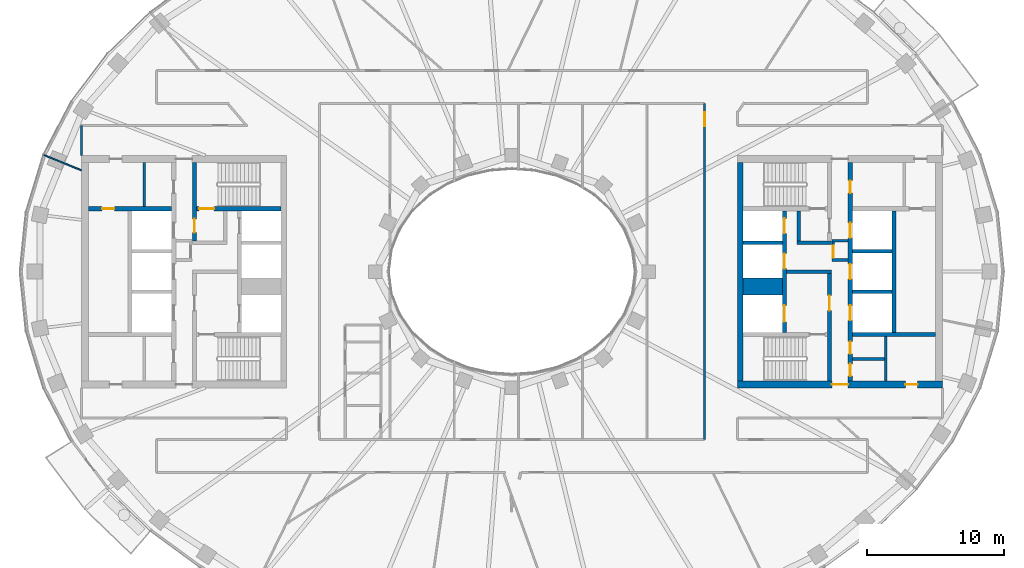
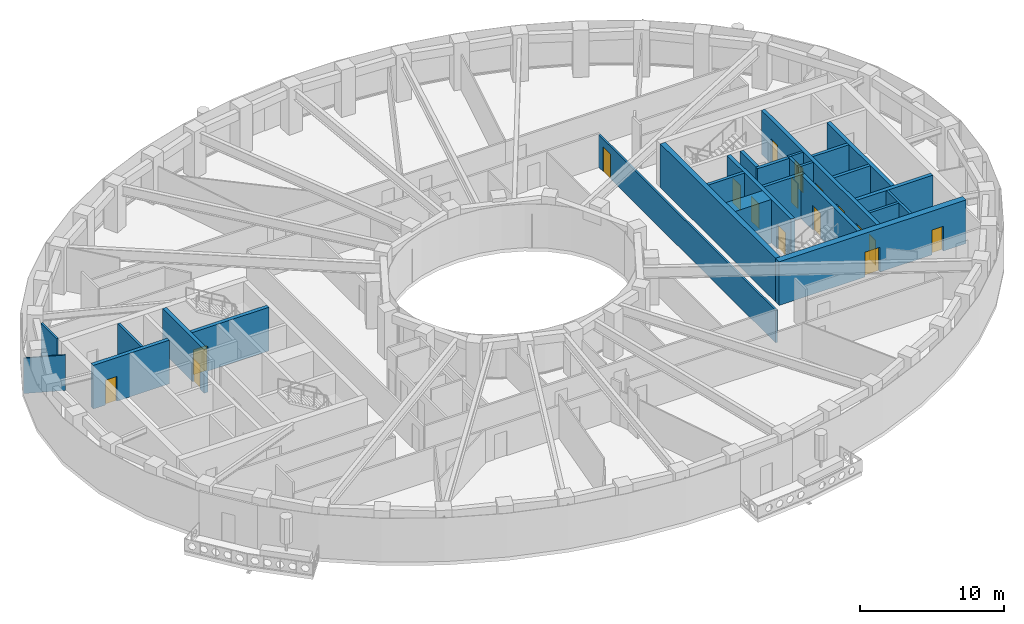
# One storey, part 5 of 16: 26 walls, 17 doors, 17 openings.
"""IFC4 building model written with IfcOpenShell, lengths in metres."""

from ifc_helpers import new_model, si_unit, direction, frame, frame_2d, origin, place, context, subcontext, project, spatial, rectangle, extrude, material, layer, layer_set, type_object, element, fill, save


model = new_model("IFC4")

# Units and contexts
model_context = context("Model", 3, precision=1e-05, world=origin(), true_north=direction((0.0, 1.0)))
body_context = subcontext(model_context, "Body", "Model", "MODEL_VIEW")
ifc_project = project(units=[si_unit("LENGTHUNIT", "METRE"), si_unit("AREAUNIT", "SQUARE_METRE"), si_unit("VOLUMEUNIT", "CUBIC_METRE"), si_unit("PLANEANGLEUNIT", "RADIAN"), si_unit("MASSUNIT", "GRAM", prefix="KILO")], contexts=[model_context])

# Site, building, storey
site_placement = place(None, origin())
site = spatial("IfcSite", under=ifc_project, at=site_placement, CompositionType="ELEMENT")
building_placement = place(site_placement, origin())
building = spatial("IfcBuilding", under=site, at=building_placement, Name="Noorbagh Ring Tower", CompositionType="ELEMENT")
storey_placement = place(building_placement, frame((0.0, 0.0, 245.5)))
storey = spatial("IfcBuildingStorey", under=building, at=storey_placement, Name="L51", CompositionType="ELEMENT", Elevation=245.5)

# Walls
ifc_material_1 = material(Name="Gypsum board on steel studs", Category="steel")
ifc_layer_1 = layer(ifc_material_1, 0.199951171875)
ifc_layer_set_1 = layer_set([ifc_layer_1], Name="Gypsum board on steel studs")
wall_type_1 = type_object("IfcWallType", Name="CORE-PARTITION-200", PredefinedType="PARTITIONING", material=ifc_layer_set_1)
wall_1_placement = place(storey_placement, frame((-26.89990234375, 4.75, 0.0), z_axis=(0.0, 0.0, 1.0), x_axis=(0.0, 1.0, 0.0)))
element("IfcWall", 1, at=wall_1_placement, inside=storey, type_object=wall_type_1, Name="Core partition W", PredefinedType="PARTITIONING", context=body_context, shape_type="SweptSolid", body=[
    extrude(rectangle(XDim=3.25, YDim=0.199951171875, at=frame_2d((1.625, 0.0))), origin(), (0.0, 0.0, 1.0), 3.699951171875),
])
for number, where, z_axis, x_axis, name in (
    (2, (23.39990234375, 0.85009765625, 0.0), (0.0, 0.0, 1.0), (1.0, 0.0, 0.0), "Core partition E"),
    (3, (23.39990234375, 2.25, 0.0), (0.0, 0.0, 1.0), (1.0, 0.0, 0.0), "Core partition E"),
):
    element("IfcWall", number, at=place(storey_placement, frame(where, z_axis=z_axis, x_axis=x_axis)), inside=storey, type_object=wall_type_1, Name=name, PredefinedType="PARTITIONING", context=body_context, shape_type="SweptSolid", body=[
        extrude(rectangle(XDim=1.2001953125, YDim=0.199951171875, at=frame_2d((0.60009765625, 0.0))), origin(), (0.0, 0.0, 1.0), 3.699951171875),
    ])

# Wall, opening, door
wall_2_placement = place(storey_placement, frame((23.5, 0.75, 0.0), z_axis=(0.0, 0.0, 1.0), x_axis=(0.0, 1.0, 0.0)))
wall_2 = element("IfcWall", 4, at=wall_2_placement, inside=storey, type_object=wall_type_1, Name="Core partition E", PredefinedType="PARTITIONING", context=body_context, shape_type="SweptSolid", body=[
    extrude(rectangle(XDim=1.60009765625, YDim=0.199951171875, at=frame_2d((0.800048828125, 0.0))), origin(), (0.0, 0.0, 1.0), 3.699951171875),
])
opening_1_placement = place(wall_2_placement, frame((0.25, 0.0, 0.0)))
opening_1 = element("IfcOpeningElement", 5, at=opening_1_placement, cuts=wall_2, Name="Opening L51-CE18", PredefinedType="OPENING", context=body_context, shape_type="SweptSolid", body=[
    extrude(rectangle(XDim=0.89990234375, YDim=2.10009765625, at=frame_2d((0.449951171875, 1.050048828125))), frame((0.0, 0.10986328125, 0.0), z_axis=(0.0, -1.0, 0.0), x_axis=(1.0, 0.0, 0.0)), (0.0, 0.0, 1.0), 0.219970703125),
])
ifc_material_2 = material(Name="Steel door leaf", Category="steel")
door_type_1 = type_object("IfcDoorType", Name="CORE-DOOR-DROOM", OperationType="SINGLE_SWING_LEFT", PredefinedType="DOOR", material=ifc_material_2)
door_1_placement = place(opening_1_placement, origin())
door_1 = element("IfcDoor", 6, at=door_1_placement, inside=storey, type_object=door_type_1, Name="Core room door L51-CE18", OperationType="SINGLE_SWING_LEFT", OverallHeight=2.10009765625, OverallWidth=0.89990234375, PredefinedType="DOOR", context=body_context, shape_type="SweptSolid", body=[
    extrude(rectangle(XDim=0.89990234375, YDim=2.10009765625, at=frame_2d((0.449951171875, 1.050048828125))), frame((0.0, 0.02490234375, 0.0), z_axis=(0.0, -1.0, 0.0), x_axis=(1.0, 0.0, 0.0)), (0.0, 0.0, 1.0), 0.050048828125),
])
fill(opening_1, door_1)

# Walls
wall_3_placement = place(storey_placement, frame((27.35009765625, -8.0, 0.0), z_axis=(0.0, 0.0, 1.0), x_axis=(0.0, 1.0, 0.0)))
element("IfcWall", 7, at=wall_3_placement, inside=storey, type_object=wall_type_1, Name="Core partition E", PredefinedType="PARTITIONING", context=body_context, shape_type="SweptSolid", body=[
    extrude(rectangle(XDim=3.25, YDim=0.199951171875, at=frame_2d((1.625, 0.0))), origin(), (0.0, 0.0, 1.0), 3.699951171875),
])
wall_4_placement = place(storey_placement, frame((24.89990234375, -6.39990234375, 0.0), z_axis=(0.0, 0.0, 1.0), x_axis=(1.0, 0.0, 0.0)))
element("IfcWall", 8, at=wall_4_placement, inside=storey, type_object=wall_type_1, Name="Core partition E", PredefinedType="PARTITIONING", context=body_context, shape_type="SweptSolid", body=[
    extrude(rectangle(XDim=2.35009765625, YDim=0.199951171875, at=frame_2d((1.175048828125, 0.0))), origin(), (0.0, 0.0, 1.0), 3.699951171875),
])
ifc_material_3 = material(Name="Concrete C60/75", Category="concrete")
ifc_layer_2 = layer(ifc_material_3, 1.25)
ifc_layer_set_2 = layer_set([ifc_layer_2], Name="Concrete C60/75")
wall_type_2 = type_object("IfcWallType", Name="CORE-WALL-1250-C60-75-EI120", PredefinedType="SHEAR", material=ifc_layer_set_2)
wall_5_placement = place(storey_placement, frame((16.89990234375, -1.074951171875, 0.0), z_axis=(0.0, 0.0, 1.0), x_axis=(1.0, 0.0, 0.0)))
element("IfcWall", 9, at=wall_5_placement, inside=storey, type_object=wall_type_2, Name="Core wall E", PredefinedType="SHEAR", context=body_context, shape_type="SweptSolid", body=[
    extrude(rectangle(XDim=2.900146484375, YDim=1.25, at=frame_2d((1.4501953125, 0.0))), origin(), (0.0, 0.0, 1.0), 3.699951171875),
])
ifc_material_4 = material(Name="Concrete C60/75", Category="concrete")
ifc_layer_3 = layer(ifc_material_4, 0.25)
ifc_layer_set_3 = layer_set([ifc_layer_3], Name="Concrete C60/75")
wall_type_3 = type_object("IfcWallType", Name="CORE-WALL-250-C60-75-EI120", PredefinedType="SHEAR", material=ifc_layer_set_3)
for number, where, z_axis, x_axis, name in (
    (10, (16.89990234375, 2.125, 0.0), (0.0, 0.0, 1.0), (1.0, 0.0, 0.0), "Core wall E"),
    (11, (24.89990234375, -1.47509765625, 0.0), (0.0, 0.0, 1.0), (1.0, 0.0, 0.0), "Core wall E"),
    (12, (24.89990234375, 1.47509765625, 0.0), (0.0, 0.0, 1.0), (1.0, 0.0, 0.0), "Core wall E"),
):
    element("IfcWall", number, at=place(storey_placement, frame(where, z_axis=z_axis, x_axis=x_axis)), inside=storey, type_object=wall_type_3, Name=name, PredefinedType="SHEAR", context=body_context, shape_type="SweptSolid", body=[
        extrude(rectangle(XDim=2.900146484375, YDim=0.25, at=frame_2d((1.4501953125, 0.0))), origin(), (0.0, 0.0, 1.0), 3.699951171875),
    ])
ifc_material_5 = material(Name="Concrete C60/75", Category="concrete")
ifc_layer_4 = layer(ifc_material_5, 0.25)
ifc_layer_set_4 = layer_set([ifc_layer_4], Name="Concrete C60/75")
wall_type_4 = type_object("IfcWallType", Name="CORE-WALL-250-C60-75-EI240", PredefinedType="SHEAR", material=ifc_layer_set_4)
wall_6_placement = place(storey_placement, frame((20.10009765625, 0.0, 0.0), z_axis=(0.0, 0.0, 1.0), x_axis=(1.0, 0.0, 0.0)))
element("IfcWall", 13, at=wall_6_placement, inside=storey, type_object=wall_type_4, Name="Core wall E", PredefinedType="SHEAR", context=body_context, shape_type="SweptSolid", body=[
    extrude(rectangle(XDim=3.27978515625, YDim=0.25, at=frame_2d((1.639892578125, 0.0))), origin(), (0.0, 0.0, 1.0), 3.699951171875),
])
wall_7_placement = place(storey_placement, frame((20.85009765625, 2.125, 0.0), z_axis=(0.0, 0.0, 1.0), x_axis=(1.0, 0.0, 0.0)))
element("IfcWall", 14, at=wall_7_placement, inside=storey, type_object=wall_type_4, Name="Core wall E", PredefinedType="SHEAR", context=body_context, shape_type="SweptSolid", body=[
    extrude(rectangle(XDim=2.52978515625, YDim=0.25, at=frame_2d((1.264892578125, 0.0))), origin(), (0.0, 0.0, 1.0), 3.699951171875),
])
wall_8_placement = place(storey_placement, frame((20.97509765625, 2.25, 0.0), z_axis=(0.0, 0.0, 1.0), x_axis=(0.0, 1.0, 0.0)))
element("IfcWall", 15, at=wall_8_placement, inside=storey, type_object=wall_type_4, Name="Core wall E", PredefinedType="SHEAR", context=body_context, shape_type="SweptSolid", body=[
    extrude(rectangle(XDim=2.199951171875, YDim=0.25, at=frame_2d((1.10009765625, 0.0))), origin(), (0.0, 0.0, 1.0), 3.699951171875),
])
ifc_material_6 = material(Name="Concrete C60/75", Category="concrete")
ifc_layer_5 = layer(ifc_material_6, 0.300048828125)
ifc_layer_set_5 = layer_set([ifc_layer_5], Name="Concrete C60/75")
wall_type_5 = type_object("IfcWallType", Name="CORE-WALL-300-C60-75-EI120", PredefinedType="SHEAR", material=ifc_layer_set_5)
wall_9_placement = place(storey_placement, frame((27.949951171875, -4.449951171875, 0.0), z_axis=(0.0, 0.0, 1.0), x_axis=(0.0, 1.0, 0.0)))
element("IfcWall", 16, at=wall_9_placement, inside=storey, type_object=wall_type_5, Name="Core wall E", PredefinedType="SHEAR", context=body_context, shape_type="SweptSolid", body=[
    extrude(rectangle(XDim=8.89990234375, YDim=0.300048828125, at=frame_2d((4.449951171875, 0.0))), origin(), (0.0, 0.0, 1.0), 3.699951171875),
])

# Wall, openings, doors
wall_10_placement = place(storey_placement, frame((19.949951171875, -4.449951171875, 0.0), z_axis=(0.0, 0.0, 1.0), x_axis=(0.0, 1.0, 0.0)))
wall_10 = element("IfcWall", 17, at=wall_10_placement, inside=storey, type_object=wall_type_5, Name="Core wall E", PredefinedType="SHEAR", context=body_context, shape_type="SweptSolid", body=[
    extrude(rectangle(XDim=8.89990234375, YDim=0.300048828125, at=frame_2d((4.449951171875, 0.0))), origin(), (0.0, 0.0, 1.0), 3.699951171875),
])
opening_2_placement = place(wall_10_placement, frame((0.77490234375, 0.0, 0.0)))
opening_2 = element("IfcOpeningElement", 18, at=opening_2_placement, cuts=wall_10, Name="Opening L51-CE01", PredefinedType="OPENING", context=body_context, shape_type="SweptSolid", body=[
    extrude(rectangle(XDim=1.199951171875, YDim=2.10009765625, at=frame_2d((0.60009765625, 1.050048828125))), frame((0.0, 0.16015625, 0.0), z_axis=(0.0, -1.0, 0.0), x_axis=(1.0, 0.0, 0.0)), (0.0, 0.0, 1.0), 0.320068359375),
])
opening_3_placement = place(wall_10_placement, frame((4.675048828125, 0.0, 0.0)))
opening_3 = element("IfcOpeningElement", 19, at=opening_3_placement, cuts=wall_10, Name="Opening L51-CE02", PredefinedType="OPENING", context=body_context, shape_type="SweptSolid", body=[
    extrude(rectangle(XDim=1.10009765625, YDim=2.10009765625, at=frame_2d((0.550048828125, 1.050048828125))), frame((0.0, 0.16015625, 0.0), z_axis=(0.0, -1.0, 0.0), x_axis=(1.0, 0.0, 0.0)), (0.0, 0.0, 1.0), 0.320068359375),
])
opening_4_placement = place(wall_10_placement, frame((7.25, 0.0, 0.0)))
opening_4 = element("IfcOpeningElement", 20, at=opening_4_placement, cuts=wall_10, Name="Opening L51-CE03", PredefinedType="OPENING", context=body_context, shape_type="SweptSolid", body=[
    extrude(rectangle(XDim=1.10009765625, YDim=2.10009765625, at=frame_2d((0.550048828125, 1.050048828125))), frame((0.0, 0.16015625, 0.0), z_axis=(0.0, -1.0, 0.0), x_axis=(1.0, 0.0, 0.0)), (0.0, 0.0, 1.0), 0.320068359375),
])
ifc_material_7 = material(Name="Steel door leaf", Category="steel")
door_type_2 = type_object("IfcDoorType", Name="CORE-DOOR-LD", OperationType="DOUBLE_DOOR_SLIDING", PredefinedType="DOOR", material=ifc_material_7)
door_2_placement = place(opening_3_placement, origin())
door_2 = element("IfcDoor", 21, at=door_2_placement, inside=storey, type_object=door_type_2, Name="Landing door HR7 L51-CE02", OperationType="DOUBLE_DOOR_SLIDING", OverallHeight=2.10009765625, OverallWidth=1.10009765625, PredefinedType="DOOR", context=body_context, shape_type="SweptSolid", body=[
    extrude(rectangle(XDim=1.10009765625, YDim=2.10009765625, at=frame_2d((0.550048828125, 1.050048828125))), frame((0.0, 0.02490234375, 0.0), z_axis=(0.0, -1.0, 0.0), x_axis=(1.0, 0.0, 0.0)), (0.0, 0.0, 1.0), 0.050048828125),
])
fill(opening_3, door_2)
door_3_placement = place(opening_4_placement, origin())
door_3 = element("IfcDoor", 22, at=door_3_placement, inside=storey, type_object=door_type_2, Name="Landing door HR8 L51-CE03", OperationType="DOUBLE_DOOR_SLIDING", OverallHeight=2.10009765625, OverallWidth=1.10009765625, PredefinedType="DOOR", context=body_context, shape_type="SweptSolid", body=[
    extrude(rectangle(XDim=1.10009765625, YDim=2.10009765625, at=frame_2d((0.550048828125, 1.050048828125))), frame((0.0, 0.02490234375, 0.0), z_axis=(0.0, -1.0, 0.0), x_axis=(1.0, 0.0, 0.0)), (0.0, 0.0, 1.0), 0.050048828125),
])
fill(opening_4, door_3)
ifc_material_8 = material(Name="Steel door leaf", Category="steel")
door_type_3 = type_object("IfcDoorType", Name="CORE-DOOR-LDW", OperationType="DOUBLE_DOOR_SLIDING", PredefinedType="DOOR", material=ifc_material_8)
door_4_placement = place(opening_2_placement, origin())
door_4 = element("IfcDoor", 23, at=door_4_placement, inside=storey, type_object=door_type_3, Name="Landing door FF2 L51-CE01", OperationType="DOUBLE_DOOR_SLIDING", OverallHeight=2.10009765625, OverallWidth=1.199951171875, PredefinedType="DOOR", context=body_context, shape_type="SweptSolid", body=[
    extrude(rectangle(XDim=1.199951171875, YDim=2.10009765625, at=frame_2d((0.60009765625, 1.050048828125))), frame((0.0, 0.02490234375, 0.0), z_axis=(0.0, -1.0, 0.0), x_axis=(1.0, 0.0, 0.0)), (0.0, 0.0, 1.0), 0.050048828125),
])
fill(opening_2, door_4)

wall_11_placement = place(storey_placement, frame((24.75, -8.0, 0.0), z_axis=(0.0, 0.0, 1.0), x_axis=(0.0, 1.0, 0.0)))
wall_11 = element("IfcWall", 24, at=wall_11_placement, inside=storey, type_object=wall_type_5, Name="Core wall E", PredefinedType="SHEAR", context=body_context, shape_type="SweptSolid", body=[
    extrude(rectangle(XDim=16.0, YDim=0.300048828125, at=frame_2d((8.0, 0.0))), origin(), (0.0, 0.0, 1.0), 3.699951171875),
])
opening_5_placement = place(wall_11_placement, frame((4.425048828125, 0.0, 0.0)))
opening_5 = element("IfcOpeningElement", 25, at=opening_5_placement, cuts=wall_11, Name="Opening L51-CE04", PredefinedType="OPENING", context=body_context, shape_type="SweptSolid", body=[
    extrude(rectangle(XDim=1.10009765625, YDim=2.10009765625, at=frame_2d((0.550048828125, 1.050048828125))), frame((0.0, 0.16015625, 0.0), z_axis=(0.0, -1.0, 0.0), x_axis=(1.0, 0.0, 0.0)), (0.0, 0.0, 1.0), 0.320068359375),
])
opening_6_placement = place(wall_11_placement, frame((7.449951171875, 0.0, 0.0)))
opening_6 = element("IfcOpeningElement", 26, at=opening_6_placement, cuts=wall_11, Name="Opening L51-CE05", PredefinedType="OPENING", context=body_context, shape_type="SweptSolid", body=[
    extrude(rectangle(XDim=1.10009765625, YDim=2.10009765625, at=frame_2d((0.550048828125, 1.050048828125))), frame((0.0, 0.16015625, 0.0), z_axis=(0.0, -1.0, 0.0), x_axis=(1.0, 0.0, 0.0)), (0.0, 0.0, 1.0), 0.320068359375),
])
opening_7_placement = place(wall_11_placement, frame((10.47509765625, 0.0, 0.0)))
opening_7 = element("IfcOpeningElement", 27, at=opening_7_placement, cuts=wall_11, Name="Opening L51-CE06", PredefinedType="OPENING", context=body_context, shape_type="SweptSolid", body=[
    extrude(rectangle(XDim=1.10009765625, YDim=2.10009765625, at=frame_2d((0.550048828125, 1.050048828125))), frame((0.0, 0.16015625, 0.0), z_axis=(0.0, -1.0, 0.0), x_axis=(1.0, 0.0, 0.0)), (0.0, 0.0, 1.0), 0.320068359375),
])
opening_8_placement = place(wall_11_placement, frame((13.75, 0.0, 0.0)))
opening_8 = element("IfcOpeningElement", 28, at=opening_8_placement, cuts=wall_11, Name="Opening L51-CE13", PredefinedType="OPENING", context=body_context, shape_type="SweptSolid", body=[
    extrude(rectangle(XDim=0.89990234375, YDim=2.10009765625, at=frame_2d((0.449951171875, 1.050048828125))), frame((0.0, 0.16015625, 0.0), z_axis=(0.0, -1.0, 0.0), x_axis=(1.0, 0.0, 0.0)), (0.0, 0.0, 1.0), 0.320068359375),
])
opening_9_placement = place(wall_11_placement, frame((1.97509765625, 0.0, 0.0)))
opening_9 = element("IfcOpeningElement", 29, at=opening_9_placement, cuts=wall_11, Name="Opening L51-CE15", PredefinedType="OPENING", context=body_context, shape_type="SweptSolid", body=[
    extrude(rectangle(XDim=0.89990234375, YDim=2.10009765625, at=frame_2d((0.449951171875, 1.050048828125))), frame((0.0, 0.16015625, 0.0), z_axis=(0.0, -1.0, 0.0), x_axis=(1.0, 0.0, 0.0)), (0.0, 0.0, 1.0), 0.320068359375),
])
opening_10_placement = place(wall_11_placement, frame((0.35009765625, 0.0, 0.0)))
opening_10 = element("IfcOpeningElement", 30, at=opening_10_placement, cuts=wall_11, Name="Opening L51-CE16", PredefinedType="OPENING", context=body_context, shape_type="SweptSolid", body=[
    extrude(rectangle(XDim=0.89990234375, YDim=2.10009765625, at=frame_2d((0.449951171875, 1.050048828125))), frame((0.0, 0.16015625, 0.0), z_axis=(0.0, -1.0, 0.0), x_axis=(1.0, 0.0, 0.0)), (0.0, 0.0, 1.0), 0.320068359375),
])
door_5_placement = place(opening_8_placement, origin())
door_5 = element("IfcDoor", 31, at=door_5_placement, inside=storey, type_object=door_type_1, Name="Core room door L51-CE13", OperationType="SINGLE_SWING_LEFT", OverallHeight=2.10009765625, OverallWidth=0.89990234375, PredefinedType="DOOR", context=body_context, shape_type="SweptSolid", body=[
    extrude(rectangle(XDim=0.89990234375, YDim=2.10009765625, at=frame_2d((0.449951171875, 1.050048828125))), frame((0.0, 0.02490234375, 0.0), z_axis=(0.0, -1.0, 0.0), x_axis=(1.0, 0.0, 0.0)), (0.0, 0.0, 1.0), 0.050048828125),
])
fill(opening_8, door_5)
door_6_placement = place(opening_9_placement, origin())
door_6 = element("IfcDoor", 32, at=door_6_placement, inside=storey, type_object=door_type_1, Name="Core room door L51-CE15", OperationType="SINGLE_SWING_LEFT", OverallHeight=2.10009765625, OverallWidth=0.89990234375, PredefinedType="DOOR", context=body_context, shape_type="SweptSolid", body=[
    extrude(rectangle(XDim=0.89990234375, YDim=2.10009765625, at=frame_2d((0.449951171875, 1.050048828125))), frame((0.0, 0.02490234375, 0.0), z_axis=(0.0, -1.0, 0.0), x_axis=(1.0, 0.0, 0.0)), (0.0, 0.0, 1.0), 0.050048828125),
])
fill(opening_9, door_6)
door_7_placement = place(opening_10_placement, origin())
door_7 = element("IfcDoor", 33, at=door_7_placement, inside=storey, type_object=door_type_1, Name="Core room door L51-CE16", OperationType="SINGLE_SWING_RIGHT", OverallHeight=2.10009765625, OverallWidth=0.89990234375, PredefinedType="DOOR", context=body_context, shape_type="SweptSolid", body=[
    extrude(rectangle(XDim=0.89990234375, YDim=2.10009765625, at=frame_2d((0.449951171875, 1.050048828125))), frame((0.0, 0.02490234375, 0.0), z_axis=(0.0, -1.0, 0.0), x_axis=(1.0, 0.0, 0.0)), (0.0, 0.0, 1.0), 0.050048828125),
])
fill(opening_10, door_7)
door_8_placement = place(opening_5_placement, origin())
door_8 = element("IfcDoor", 34, at=door_8_placement, inside=storey, type_object=door_type_2, Name="Landing door HR9 L51-CE04", OperationType="DOUBLE_DOOR_SLIDING", OverallHeight=2.10009765625, OverallWidth=1.10009765625, PredefinedType="DOOR", context=body_context, shape_type="SweptSolid", body=[
    extrude(rectangle(XDim=1.10009765625, YDim=2.10009765625, at=frame_2d((0.550048828125, 1.050048828125))), frame((0.0, 0.02490234375, 0.0), z_axis=(0.0, -1.0, 0.0), x_axis=(1.0, 0.0, 0.0)), (0.0, 0.0, 1.0), 0.050048828125),
])
fill(opening_5, door_8)
door_9_placement = place(opening_6_placement, origin())
door_9 = element("IfcDoor", 35, at=door_9_placement, inside=storey, type_object=door_type_2, Name="Landing door HR10 L51-CE05", OperationType="DOUBLE_DOOR_SLIDING", OverallHeight=2.10009765625, OverallWidth=1.10009765625, PredefinedType="DOOR", context=body_context, shape_type="SweptSolid", body=[
    extrude(rectangle(XDim=1.10009765625, YDim=2.10009765625, at=frame_2d((0.550048828125, 1.050048828125))), frame((0.0, 0.02490234375, 0.0), z_axis=(0.0, -1.0, 0.0), x_axis=(1.0, 0.0, 0.0)), (0.0, 0.0, 1.0), 0.050048828125),
])
fill(opening_6, door_9)
door_10_placement = place(opening_7_placement, origin())
door_10 = element("IfcDoor", 36, at=door_10_placement, inside=storey, type_object=door_type_2, Name="Landing door HR11 L51-CE06", OperationType="DOUBLE_DOOR_SLIDING", OverallHeight=2.10009765625, OverallWidth=1.10009765625, PredefinedType="DOOR", context=body_context, shape_type="SweptSolid", body=[
    extrude(rectangle(XDim=1.10009765625, YDim=2.10009765625, at=frame_2d((0.550048828125, 1.050048828125))), frame((0.0, 0.02490234375, 0.0), z_axis=(0.0, -1.0, 0.0), x_axis=(1.0, 0.0, 0.0)), (0.0, 0.0, 1.0), 0.050048828125),
])
fill(opening_7, door_10)

# Wall, opening, door
ifc_material_9 = material(Name="Concrete C60/75", Category="concrete")
ifc_layer_6 = layer(ifc_material_9, 0.300048828125)
ifc_layer_set_6 = layer_set([ifc_layer_6], Name="Concrete C60/75")
wall_type_6 = type_object("IfcWallType", Name="CORE-WALL-300-C60-75-EI240", PredefinedType="SHEAR", material=ifc_layer_set_6)
wall_12_placement = place(storey_placement, frame((-24.89990234375, 4.60009765625, 0.0), z_axis=(0.0, 0.0, 1.0), x_axis=(-1.0, 0.0, 0.0)))
wall_12 = element("IfcWall", 37, at=wall_12_placement, inside=storey, type_object=wall_type_6, Name="Core wall W", PredefinedType="SHEAR", context=body_context, shape_type="SweptSolid", body=[
    extrude(rectangle(XDim=6.10009765625, YDim=0.300048828125, at=frame_2d((3.050048828125, 0.0))), origin(), (0.0, 0.0, 1.0), 3.699951171875),
])
opening_11_placement = place(wall_12_placement, frame((4.199951171875, 0.0, 0.0)))
opening_11 = element("IfcOpeningElement", 38, at=opening_11_placement, cuts=wall_12, Name="Opening L51-CW17", PredefinedType="OPENING", context=body_context, shape_type="SweptSolid", body=[
    extrude(rectangle(XDim=0.89990234375, YDim=2.10009765625, at=frame_2d((0.449951171875, 1.050048828125))), frame((0.0, 0.16015625, 0.0), z_axis=(0.0, -1.0, 0.0), x_axis=(1.0, 0.0, 0.0)), (0.0, 0.0, 1.0), 0.320068359375),
])
door_11_placement = place(opening_11_placement, origin())
door_11 = element("IfcDoor", 39, at=door_11_placement, inside=storey, type_object=door_type_1, Name="Core room door L51-CW17", OperationType="SINGLE_SWING_LEFT", OverallHeight=2.10009765625, OverallWidth=0.89990234375, PredefinedType="DOOR", context=body_context, shape_type="SweptSolid", body=[
    extrude(rectangle(XDim=0.89990234375, YDim=2.10009765625, at=frame_2d((0.449951171875, 1.050048828125))), frame((0.0, 0.02490234375, 0.0), z_axis=(0.0, -1.0, 0.0), x_axis=(1.0, 0.0, 0.0)), (0.0, 0.0, 1.0), 0.050048828125),
])
fill(opening_11, door_11)

wall_13_placement = place(storey_placement, frame((-23.22998046875, 2.25, 0.0), z_axis=(0.0, 0.0, 1.0), x_axis=(0.0, 1.0, 0.0)))
wall_13 = element("IfcWall", 40, at=wall_13_placement, inside=storey, type_object=wall_type_6, Name="Core wall W", PredefinedType="SHEAR", context=body_context, shape_type="SweptSolid", body=[
    extrude(rectangle(XDim=5.75, YDim=0.300048828125, at=frame_2d((2.875, 0.0))), origin(), (0.0, 0.0, 1.0), 3.699951171875),
])
opening_12_placement = place(wall_13_placement, frame((0.60009765625, 0.0, 0.0)))
opening_12 = element("IfcOpeningElement", 41, at=opening_12_placement, cuts=wall_13, Name="Opening L51-CW09", PredefinedType="OPENING", context=body_context, shape_type="SweptSolid", body=[
    extrude(rectangle(XDim=1.0, YDim=2.10009765625, at=frame_2d((0.5, 1.050048828125))), frame((0.0, 0.16015625, 0.0), z_axis=(0.0, -1.0, 0.0), x_axis=(1.0, 0.0, 0.0)), (0.0, 0.0, 1.0), 0.320068359375),
])
ifc_material_10 = material(Name="Steel door leaf", Category="steel")
door_type_4 = type_object("IfcDoorType", Name="CORE-DOOR-DVEST", OperationType="SINGLE_SWING_LEFT", PredefinedType="DOOR", material=ifc_material_10)
door_12_placement = place(opening_12_placement, origin())
door_12 = element("IfcDoor", 42, at=door_12_placement, inside=storey, type_object=door_type_4, Name="Stair vestibule door L51-CW09", OperationType="SINGLE_SWING_LEFT", OverallHeight=2.10009765625, OverallWidth=1.0, PredefinedType="DOOR", context=body_context, shape_type="SweptSolid", body=[
    extrude(rectangle(XDim=1.0, YDim=2.10009765625, at=frame_2d((0.5, 1.050048828125))), frame((0.0, 0.02490234375, 0.0), z_axis=(0.0, -1.0, 0.0), x_axis=(1.0, 0.0, 0.0)), (0.0, 0.0, 1.0), 0.050048828125),
])
fill(opening_12, door_12)

wall_14_placement = place(storey_placement, frame((-16.89990234375, 4.60009765625, 0.0), z_axis=(0.0, 0.0, 1.0), x_axis=(-1.0, 0.0, 0.0)))
wall_14 = element("IfcWall", 43, at=wall_14_placement, inside=storey, type_object=wall_type_6, Name="Core wall W", PredefinedType="SHEAR", context=body_context, shape_type="SweptSolid", body=[
    extrude(rectangle(XDim=6.18017578125, YDim=0.300048828125, at=frame_2d((3.090087890625, 0.0))), origin(), (0.0, 0.0, 1.0), 3.699951171875),
])
opening_13_placement = place(wall_14_placement, frame((4.89990234375, 0.0, 0.0)))
opening_13 = element("IfcOpeningElement", 44, at=opening_13_placement, cuts=wall_14, Name="Opening L51-CW06", PredefinedType="OPENING", context=body_context, shape_type="SweptSolid", body=[
    extrude(rectangle(XDim=1.10009765625, YDim=2.10009765625, at=frame_2d((0.550048828125, 1.050048828125))), frame((0.0, 0.16015625, 0.0), z_axis=(0.0, -1.0, 0.0), x_axis=(1.0, 0.0, 0.0)), (0.0, 0.0, 1.0), 0.320068359375),
])
ifc_material_11 = material(Name="Steel door leaf", Category="steel")
door_type_5 = type_object("IfcDoorType", Name="CORE-DOOR-DSTAIR", OperationType="SINGLE_SWING_LEFT", PredefinedType="DOOR", material=ifc_material_11)
door_13_placement = place(opening_13_placement, origin())
door_13 = element("IfcDoor", 45, at=door_13_placement, inside=storey, type_object=door_type_5, Name="Stair door ST1 L51-CW06", OperationType="SINGLE_SWING_RIGHT", OverallHeight=2.10009765625, OverallWidth=1.10009765625, PredefinedType="DOOR", context=body_context, shape_type="SweptSolid", body=[
    extrude(rectangle(XDim=1.10009765625, YDim=2.10009765625, at=frame_2d((0.550048828125, 1.050048828125))), frame((0.0, 0.02490234375, 0.0), z_axis=(0.0, -1.0, 0.0), x_axis=(1.0, 0.0, 0.0)), (0.0, 0.0, 1.0), 0.050048828125),
])
fill(opening_13, door_13)

# Wall
wall_15_placement = place(storey_placement, frame((24.89990234375, -4.60009765625, 0.0), z_axis=(0.0, 0.0, 1.0), x_axis=(1.0, 0.0, 0.0)))
element("IfcWall", 46, at=wall_15_placement, inside=storey, type_object=wall_type_6, Name="Core wall E", PredefinedType="SHEAR", context=body_context, shape_type="SweptSolid", body=[
    extrude(rectangle(XDim=6.10009765625, YDim=0.300048828125, at=frame_2d((3.050048828125, 0.0))), origin(), (0.0, 0.0, 1.0), 3.699951171875),
])

# Wall, opening, door
wall_16_placement = place(storey_placement, frame((23.22998046875, -8.0, 0.0), z_axis=(0.0, 0.0, 1.0), x_axis=(0.0, 1.0, 0.0)))
wall_16 = element("IfcWall", 47, at=wall_16_placement, inside=storey, type_object=wall_type_6, Name="Core wall E", PredefinedType="SHEAR", context=body_context, shape_type="SweptSolid", body=[
    extrude(rectangle(XDim=7.875, YDim=0.300048828125, at=frame_2d((3.9375, 0.0))), origin(), (0.0, 0.0, 1.0), 3.699951171875),
])
opening_14_placement = place(wall_16_placement, frame((5.14990234375, 0.0, 0.0)))
opening_14 = element("IfcOpeningElement", 48, at=opening_14_placement, cuts=wall_16, Name="Opening L51-CE09", PredefinedType="OPENING", context=body_context, shape_type="SweptSolid", body=[
    extrude(rectangle(XDim=1.10009765625, YDim=2.10009765625, at=frame_2d((0.550048828125, 1.050048828125))), frame((0.0, 0.16015625, 0.0), z_axis=(0.0, -1.0, 0.0), x_axis=(1.0, 0.0, 0.0)), (0.0, 0.0, 1.0), 0.320068359375),
])
ifc_material_12 = material(Name="Steel door leaf", Category="steel")
door_type_6 = type_object("IfcDoorType", Name="CORE-DOOR-DFF", OperationType="SINGLE_SWING_LEFT", PredefinedType="DOOR", material=ifc_material_12)
door_14_placement = place(opening_14_placement, origin())
door_14 = element("IfcDoor", 49, at=door_14_placement, inside=storey, type_object=door_type_6, Name="Firefighting lobby door L51-CE09", OperationType="SINGLE_SWING_RIGHT", OverallHeight=2.10009765625, OverallWidth=1.10009765625, PredefinedType="DOOR", context=body_context, shape_type="SweptSolid", body=[
    extrude(rectangle(XDim=1.10009765625, YDim=2.10009765625, at=frame_2d((0.550048828125, 1.050048828125))), frame((0.0, 0.02490234375, 0.0), z_axis=(0.0, -1.0, 0.0), x_axis=(1.0, 0.0, 0.0)), (0.0, 0.0, 1.0), 0.050048828125),
])
fill(opening_14, door_14)

# Wall
ifc_material_13 = material(Name="Concrete C60/75", Category="concrete")
ifc_layer_7 = layer(ifc_material_13, 0.39990234375)
ifc_layer_set_7 = layer_set([ifc_layer_7], Name="Concrete C60/75")
wall_type_7 = type_object("IfcWallType", Name="CORE-WALL-400-C60-75-EI240", PredefinedType="SHEAR", material=ifc_layer_set_7)
wall_17_placement = place(storey_placement, frame((16.699951171875, -8.0, 0.0), z_axis=(0.0, 0.0, 1.0), x_axis=(0.0, 1.0, 0.0)))
element("IfcWall", 50, at=wall_17_placement, inside=storey, type_object=wall_type_7, Name="Core wall E", PredefinedType="SHEAR", context=body_context, shape_type="SweptSolid", body=[
    extrude(rectangle(XDim=16.0, YDim=0.39990234375, at=frame_2d((8.0, 0.0))), origin(), (0.0, 0.0, 1.0), 3.699951171875),
])

# Wall, openings, doors
ifc_material_14 = material(Name="Concrete C60/75", Category="concrete")
ifc_layer_8 = layer(ifc_material_14, 0.5)
ifc_layer_set_8 = layer_set([ifc_layer_8], Name="Concrete C60/75")
wall_type_8 = type_object("IfcWallType", Name="CORE-WALL-500-C60-75-EI240", PredefinedType="SHEAR", material=ifc_layer_set_8)
wall_18_placement = place(storey_placement, frame((16.5, -8.25, 0.0), z_axis=(0.0, 0.0, 1.0), x_axis=(1.0, 0.0, 0.0)))
wall_18 = element("IfcWall", 51, at=wall_18_placement, inside=storey, type_object=wall_type_8, Name="Core wall E", PredefinedType="SHEAR", context=body_context, shape_type="SweptSolid", body=[
    extrude(rectangle(XDim=15.0, YDim=0.5, at=frame_2d((7.5, 0.0))), origin(), (0.0, 0.0, 1.0), 3.699951171875),
])
opening_15_placement = place(wall_18_placement, frame((6.89990234375, 0.0, 0.0)))
opening_15 = element("IfcOpeningElement", 52, at=opening_15_placement, cuts=wall_18, Name="Opening L51-CE12", PredefinedType="OPENING", context=body_context, shape_type="SweptSolid", body=[
    extrude(rectangle(XDim=1.199951171875, YDim=2.10009765625, at=frame_2d((0.60009765625, 1.050048828125))), frame((0.0, 0.260009765625, 0.0), z_axis=(0.0, -1.0, 0.0), x_axis=(1.0, 0.0, 0.0)), (0.0, 0.0, 1.0), 0.52001953125),
])
opening_16_placement = place(wall_18_placement, frame((12.27490234375, 0.0, 0.0)))
opening_16 = element("IfcOpeningElement", 53, at=opening_16_placement, cuts=wall_18, Name="Opening L51-CE17", PredefinedType="OPENING", context=body_context, shape_type="SweptSolid", body=[
    extrude(rectangle(XDim=0.89990234375, YDim=2.10009765625, at=frame_2d((0.449951171875, 1.050048828125))), frame((0.0, 0.260009765625, 0.0), z_axis=(0.0, -1.0, 0.0), x_axis=(1.0, 0.0, 0.0)), (0.0, 0.0, 1.0), 0.52001953125),
])
door_15_placement = place(opening_16_placement, origin())
door_15 = element("IfcDoor", 54, at=door_15_placement, inside=storey, type_object=door_type_1, Name="Core room door L51-CE17", OperationType="SINGLE_SWING_RIGHT", OverallHeight=2.10009765625, OverallWidth=0.89990234375, PredefinedType="DOOR", context=body_context, shape_type="SweptSolid", body=[
    extrude(rectangle(XDim=0.89990234375, YDim=2.10009765625, at=frame_2d((0.449951171875, 1.050048828125))), frame((0.0, 0.02490234375, 0.0), z_axis=(0.0, -1.0, 0.0), x_axis=(1.0, 0.0, 0.0)), (0.0, 0.0, 1.0), 0.050048828125),
])
fill(opening_16, door_15)
ifc_material_15 = material(Name="Steel door leaf", Category="steel")
door_type_7 = type_object("IfcDoorType", Name="CORE-DOOR-PORT", OperationType="DOUBLE_DOOR_DOUBLE_SWING", PredefinedType="DOOR", material=ifc_material_15)
door_16_placement = place(opening_15_placement, origin())
door_16 = element("IfcDoor", 55, at=door_16_placement, inside=storey, type_object=door_type_7, Name="Core entrance door L51-CE12", OperationType="DOUBLE_DOOR_DOUBLE_SWING", OverallHeight=2.10009765625, OverallWidth=1.199951171875, PredefinedType="DOOR", context=body_context, shape_type="SweptSolid", body=[
    extrude(rectangle(XDim=1.199951171875, YDim=2.10009765625, at=frame_2d((0.60009765625, 1.050048828125))), frame((0.0, 0.02490234375, 0.0), z_axis=(0.0, -1.0, 0.0), x_axis=(1.0, 0.0, 0.0)), (0.0, 0.0, 1.0), 0.050048828125),
])
fill(opening_15, door_16)

# Wall
ifc_material_16 = material(Name="Gypsum board on steel studs", Category="steel")
ifc_layer_9 = layer(ifc_material_16, 0.14990234375)
ifc_layer_set_9 = layer_set([ifc_layer_9], Name="Gypsum board on steel studs")
wall_type_9 = type_object("IfcWallType", Name="CORRIDOR PARTITION 150 EI 30", PredefinedType="PARTITIONING", material=ifc_layer_set_9)
wall_19_placement = place(storey_placement, frame((-31.5, 8.5, 0.0), z_axis=(0.0, 0.0, 1.0), x_axis=(0.0, 1.0, 0.0)))
element("IfcWall", 56, at=wall_19_placement, inside=storey, type_object=wall_type_9, Name="L51/wall/P04", PredefinedType="PARTITIONING", context=body_context, shape_type="SweptSolid", body=[
    extrude(rectangle(XDim=2.199951171875, YDim=0.14990234375, at=frame_2d((1.10009765625, 0.0))), origin(), (0.0, 0.0, 1.0), 3.699951171875),
])

# Wall, opening, door
wall_20_placement = place(storey_placement, frame((14.10009765625, -12.300048828125, 0.0), z_axis=(0.0, 0.0, 1.0), x_axis=(0.0, 1.0, 0.0)))
wall_20 = element("IfcWall", 57, at=wall_20_placement, inside=storey, type_object=wall_type_9, Name="L51/wall/P53", PredefinedType="PARTITIONING", context=body_context, shape_type="SweptSolid", body=[
    extrude(rectangle(XDim=24.60009765625, YDim=0.14990234375, at=frame_2d((12.300048828125, 0.0))), origin(), (0.0, 0.0, 1.0), 2.75),
])
opening_17_placement = place(wall_20_placement, frame((22.949951171875, 0.0, 0.0)))
opening_17 = element("IfcOpeningElement", 58, at=opening_17_placement, cuts=wall_20, Name="Opening D1", PredefinedType="OPENING", context=body_context, shape_type="SweptSolid", body=[
    extrude(rectangle(XDim=1.0, YDim=2.10009765625, at=frame_2d((0.5, 1.050048828125))), frame((0.0, 0.0849609375, 0.0), z_axis=(0.0, -1.0, 0.0), x_axis=(1.0, 0.0, 0.0)), (0.0, 0.0, 1.0), 0.169921875),
])
ifc_material_17 = material(Name="Timber, painted", Category="wood")
door_type_8 = type_object("IfcDoorType", Name="DOOR 1000 X 2100 FD30", OperationType="SINGLE_SWING_LEFT", PredefinedType="DOOR", material=ifc_material_17)
door_17_placement = place(opening_17_placement, origin())
door_17 = element("IfcDoor", 59, at=door_17_placement, inside=storey, type_object=door_type_8, Name="L51-D29", OperationType="SINGLE_SWING_LEFT", OverallHeight=2.10009765625, OverallWidth=1.0, PredefinedType="DOOR", context=body_context, shape_type="SweptSolid", body=[
    extrude(rectangle(XDim=1.0, YDim=2.10009765625, at=frame_2d((0.5, 1.050048828125))), frame((0.0, 0.02490234375, 0.0), z_axis=(0.0, -1.0, 0.0), x_axis=(1.0, 0.0, 0.0)), (0.0, 0.0, 1.0), 0.050048828125),
])
fill(opening_17, door_17)

# Wall
ifc_material_18 = material(Name="Gypsum board on steel studs", Category="steel")
ifc_layer_10 = layer(ifc_material_18, 0.10009765625)
ifc_layer_set_10 = layer_set([ifc_layer_10], Name="Gypsum board on steel studs")
wall_type_10 = type_object("IfcWallType", Name="PARTITION 100 GYPSUM", PredefinedType="PARTITIONING", material=ifc_layer_set_10)
wall_21_placement = place(storey_placement, frame((-34.23388671875, 8.530029296875, 0.0), z_axis=(0.0, 0.0, 1.0), x_axis=(0.925344112436, -0.379128307542, 0.0)))
element("IfcWall", 60, at=wall_21_placement, inside=storey, type_object=wall_type_10, Name="L51/wall/P01", PredefinedType="PARTITIONING", context=body_context, shape_type="SweptSolid", body=[
    extrude(rectangle(XDim=2.954345703125, YDim=0.10009765625, at=frame_2d((1.47705078125, 0.0))), origin(), (0.0, 0.0, 1.0), 3.0),
])

save(model, "model.ifc")
